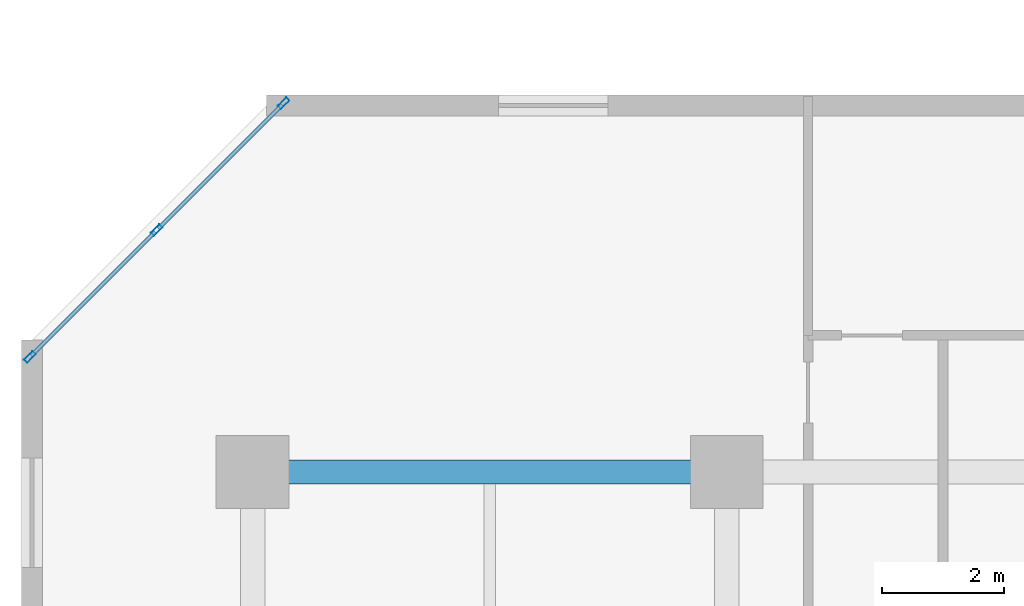
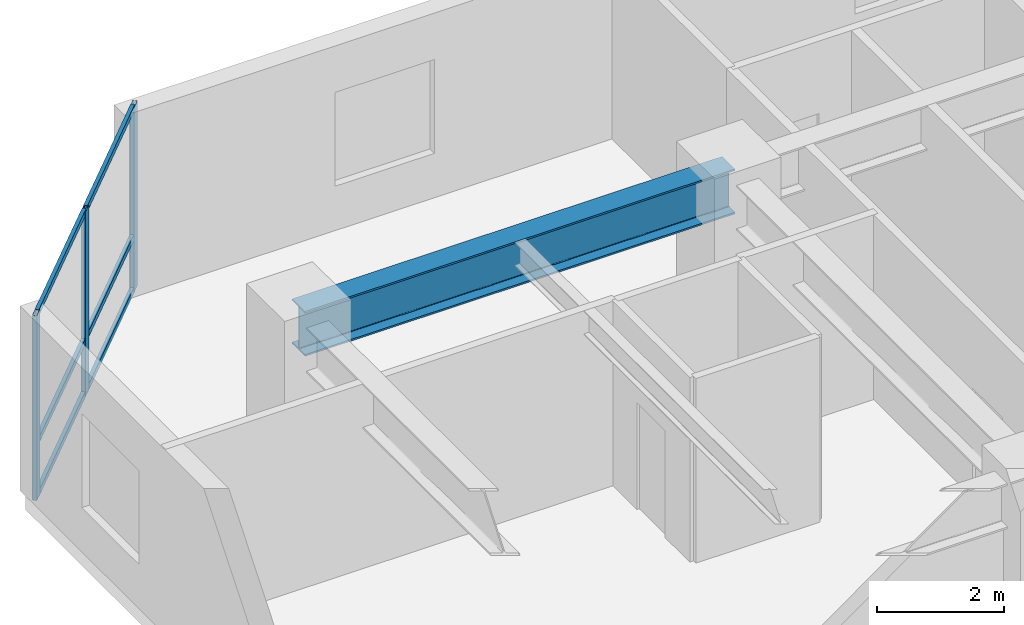
# One storey, part 3 of 11: 9 members, 1 beam, 1 element without a shape of its own.
"""IFC4 building model written with IfcOpenShell, lengths in metres."""

from ifc_helpers import new_model, si_unit, direction, frame, origin, origin_2d, place, context, subcontext, project, spatial, hollow_rectangle, i_section, extrude, material, layer, layer_set, material_profile, profile_set, type_object, element, aggregate, save


model = new_model("IFC4")

# Units and contexts
model_context = context("Model", 3, precision=1e-05, world=origin(), true_north=direction((0.0, 1.0)))
body_context = subcontext(model_context, "Body", "Model", "MODEL_VIEW")
ifc_project = project(units=[si_unit("LENGTHUNIT", "METRE"), si_unit("AREAUNIT", "SQUARE_METRE"), si_unit("VOLUMEUNIT", "CUBIC_METRE"), si_unit("PLANEANGLEUNIT", "RADIAN"), si_unit("MASSUNIT", "GRAM", prefix="KILO")], contexts=[model_context])

# Site, building, storey
site_placement = place(None, origin())
site = spatial("IfcSite", under=ifc_project, at=site_placement, CompositionType="ELEMENT")
building_placement = place(site_placement, origin())
building = spatial("IfcBuilding", under=site, at=building_placement, Name="Kestravale Grand Hotel", CompositionType="ELEMENT")
storey_placement = place(building_placement, frame((0.0, 0.0, 84.199951171875)))
storey = spatial("IfcBuildingStorey", under=building, at=storey_placement, Name="L20", CompositionType="ELEMENT", Elevation=84.199951171875)

# Beam
ifc_material_1 = material(Name="Steel ASTM A992 Grade 50", Category="steel")
ifc_material_profile_1 = material_profile(ifc_material_1, i_section(OverallWidth=0.40087890625, OverallDepth=0.861083984375, WebThickness=0.019775390625, FlangeThickness=0.032470703125, FilletRadius=0.0234375, at=origin_2d()))
ifc_profile_set_1 = profile_set([ifc_material_profile_1], Name="Steel ASTM A992 Grade 50")
beam_type = type_object("IfcBeamType", Name="B-GRD-W33", PredefinedType="BEAM", material=ifc_profile_set_1)
beam_placement = place(storey_placement, frame((7.800048828125, 38.39990234375, 3.109619140625), z_axis=(1.0, 0.0, 0.0), x_axis=(0.0, 1.0, 0.0)))
element("IfcBeam", 1, at=beam_placement, inside=storey, type_object=beam_type, Name="L20 girder F:2-3", PredefinedType="BEAM", context=body_context, shape_type="SweptSolid", body=[
    extrude(i_section(OverallWidth=0.40087890625, OverallDepth=0.861083984375, WebThickness=0.019775390625, FlangeThickness=0.032470703125, FilletRadius=0.0234375, at=origin_2d()), origin(), (0.0, 0.0, 1.0), 7.800048828125),
])

# Curtain wall, members
ifc_material_2 = material(Name="Thermally broken champagne-bronze aluminium and low-E glazing", Category="aluminium")
ifc_layer = layer(ifc_material_2, 0.199951171875)
ifc_layer_set = layer_set([ifc_layer], Name="CW-Z2")
curtain_wall_type = type_object("IfcCurtainWallType", Name="CW-Z2", PredefinedType="NOTDEFINED", material=ifc_layer_set)
curtain_wall_placement = place(storey_placement, origin())
curtain_wall = element("IfcCurtainWall", 2, at=curtain_wall_placement, inside=storey, type_object=curtain_wall_type, Name="L20 unitised curtain wall 18", PredefinedType="NOTDEFINED")
ifc_material_3 = material(Name="Aluminium 6063-T6 anodised", Category="aluminium")
ifc_material_profile_2 = material_profile(ifc_material_3, hollow_rectangle(XDim=0.074951171875, YDim=0.199951171875, WallThickness=0.00390625, at=origin_2d()))
ifc_profile_set_2 = profile_set([ifc_material_profile_2], Name="Aluminium 6063-T6 anodised")
member_type_1 = type_object("IfcMemberType", Name="CW-MUL-200", PredefinedType="MULLION", material=ifc_profile_set_2)
member_1_placement = place(storey_placement, frame((8.307861328125, 44.467529296875, 0.0), z_axis=(0.0, 0.0, 1.0), x_axis=(0.707106781187, -0.707106781187, 0.0)))
member_1 = element("IfcMember", 3, at=member_1_placement, type_object=member_type_1, Name="CW-Z2 mullion 1", PredefinedType="MULLION", context=body_context, shape_type="SweptSolid", body=[
    extrude(hollow_rectangle(XDim=0.074951171875, YDim=0.199951171875, WallThickness=0.00390625, at=origin_2d()), origin(), (0.0, 0.0, 1.0), 3.5400390625),
])
member_2_placement = place(storey_placement, frame((6.22021484375, 42.3798828125, 0.0), z_axis=(0.0, 0.0, 1.0), x_axis=(0.707106781187, -0.707106781187, 0.0)))
member_2 = element("IfcMember", 4, at=member_2_placement, type_object=member_type_1, Name="CW-Z2 mullion 2", PredefinedType="MULLION", context=body_context, shape_type="SweptSolid", body=[
    extrude(hollow_rectangle(XDim=0.074951171875, YDim=0.199951171875, WallThickness=0.00390625, at=origin_2d()), origin(), (0.0, 0.0, 1.0), 3.5400390625),
])
member_3_placement = place(storey_placement, frame((4.132568359375, 40.292236328125, 0.0), z_axis=(0.0, 0.0, 1.0), x_axis=(0.707106781187, -0.707106781187, 0.0)))
member_3 = element("IfcMember", 5, at=member_3_placement, type_object=member_type_1, Name="CW-Z2 mullion 3", PredefinedType="MULLION", context=body_context, shape_type="SweptSolid", body=[
    extrude(hollow_rectangle(XDim=0.074951171875, YDim=0.199951171875, WallThickness=0.00390625, at=origin_2d()), origin(), (0.0, 0.0, 1.0), 3.5400390625),
])
ifc_material_4 = material(Name="Aluminium 6063-T6 anodised", Category="aluminium")
ifc_material_profile_3 = material_profile(ifc_material_4, hollow_rectangle(XDim=0.06494140625, YDim=0.114990234375, WallThickness=0.003173828125, at=origin_2d()))
ifc_profile_set_3 = profile_set([ifc_material_profile_3], Name="Aluminium 6063-T6 anodised")
member_type_2 = type_object("IfcMemberType", Name="CW-TRN-115", PredefinedType="USERDEFINED", material=ifc_profile_set_3)
member_4_placement = place(storey_placement, frame((8.28125, 44.44091796875, 0.032470703125), z_axis=(-0.707064354356, -0.707149205472, 0.0), x_axis=(0.707149205472, -0.707064354356, 0.0)))
member_4 = element("IfcMember", 6, at=member_4_placement, type_object=member_type_2, Name="CW-Z2 transom 1.1", ObjectType="TRANSOM", PredefinedType="USERDEFINED", context=body_context, shape_type="SweptSolid", body=[
    extrude(hollow_rectangle(XDim=0.06494140625, YDim=0.114990234375, WallThickness=0.003173828125, at=origin_2d()), origin(), (0.0, 0.0, 1.0), 2.877197265625),
])
member_5_placement = place(storey_placement, frame((8.28125, 44.44091796875, 1.050048828125), z_axis=(-0.707064354356, -0.707149205472, 0.0), x_axis=(0.707149205472, -0.707064354356, 0.0)))
member_5 = element("IfcMember", 7, at=member_5_placement, type_object=member_type_2, Name="CW-Z2 transom 1.2", ObjectType="TRANSOM", PredefinedType="USERDEFINED", context=body_context, shape_type="SweptSolid", body=[
    extrude(hollow_rectangle(XDim=0.06494140625, YDim=0.114990234375, WallThickness=0.003173828125, at=origin_2d()), origin(), (0.0, 0.0, 1.0), 2.877197265625),
])
member_6_placement = place(storey_placement, frame((8.28125, 44.44091796875, 3.507568359375), z_axis=(-0.707064354356, -0.707149205472, 0.0), x_axis=(0.707149205472, -0.707064354356, 0.0)))
member_6 = element("IfcMember", 8, at=member_6_placement, type_object=member_type_2, Name="CW-Z2 transom 1.3", ObjectType="TRANSOM", PredefinedType="USERDEFINED", context=body_context, shape_type="SweptSolid", body=[
    extrude(hollow_rectangle(XDim=0.06494140625, YDim=0.114990234375, WallThickness=0.003173828125, at=origin_2d()), origin(), (0.0, 0.0, 1.0), 2.877197265625),
])
member_7_placement = place(storey_placement, frame((6.193603515625, 42.353271484375, 0.032470703125), z_axis=(-0.707106781187, -0.707106781187, 0.0), x_axis=(0.707106781187, -0.707106781187, 0.0)))
member_7 = element("IfcMember", 9, at=member_7_placement, type_object=member_type_2, Name="CW-Z2 transom 2.1", ObjectType="TRANSOM", PredefinedType="USERDEFINED", context=body_context, shape_type="SweptSolid", body=[
    extrude(hollow_rectangle(XDim=0.06494140625, YDim=0.114990234375, WallThickness=0.003173828125, at=origin_2d()), origin(), (0.0, 0.0, 1.0), 2.87744140625),
])
member_8_placement = place(storey_placement, frame((6.193603515625, 42.353271484375, 1.050048828125), z_axis=(-0.707106781187, -0.707106781187, 0.0), x_axis=(0.707106781187, -0.707106781187, 0.0)))
member_8 = element("IfcMember", 10, at=member_8_placement, type_object=member_type_2, Name="CW-Z2 transom 2.2", ObjectType="TRANSOM", PredefinedType="USERDEFINED", context=body_context, shape_type="SweptSolid", body=[
    extrude(hollow_rectangle(XDim=0.06494140625, YDim=0.114990234375, WallThickness=0.003173828125, at=origin_2d()), origin(), (0.0, 0.0, 1.0), 2.87744140625),
])
member_9_placement = place(storey_placement, frame((6.193603515625, 42.353271484375, 3.507568359375), z_axis=(-0.707106781187, -0.707106781187, 0.0), x_axis=(0.707106781187, -0.707106781187, 0.0)))
member_9 = element("IfcMember", 11, at=member_9_placement, type_object=member_type_2, Name="CW-Z2 transom 2.3", ObjectType="TRANSOM", PredefinedType="USERDEFINED", context=body_context, shape_type="SweptSolid", body=[
    extrude(hollow_rectangle(XDim=0.06494140625, YDim=0.114990234375, WallThickness=0.003173828125, at=origin_2d()), origin(), (0.0, 0.0, 1.0), 2.87744140625),
])
aggregate(curtain_wall, [member_1, member_2, member_3, member_4, member_5, member_6, member_7, member_8, member_9])

save(model, "model.ifc")
